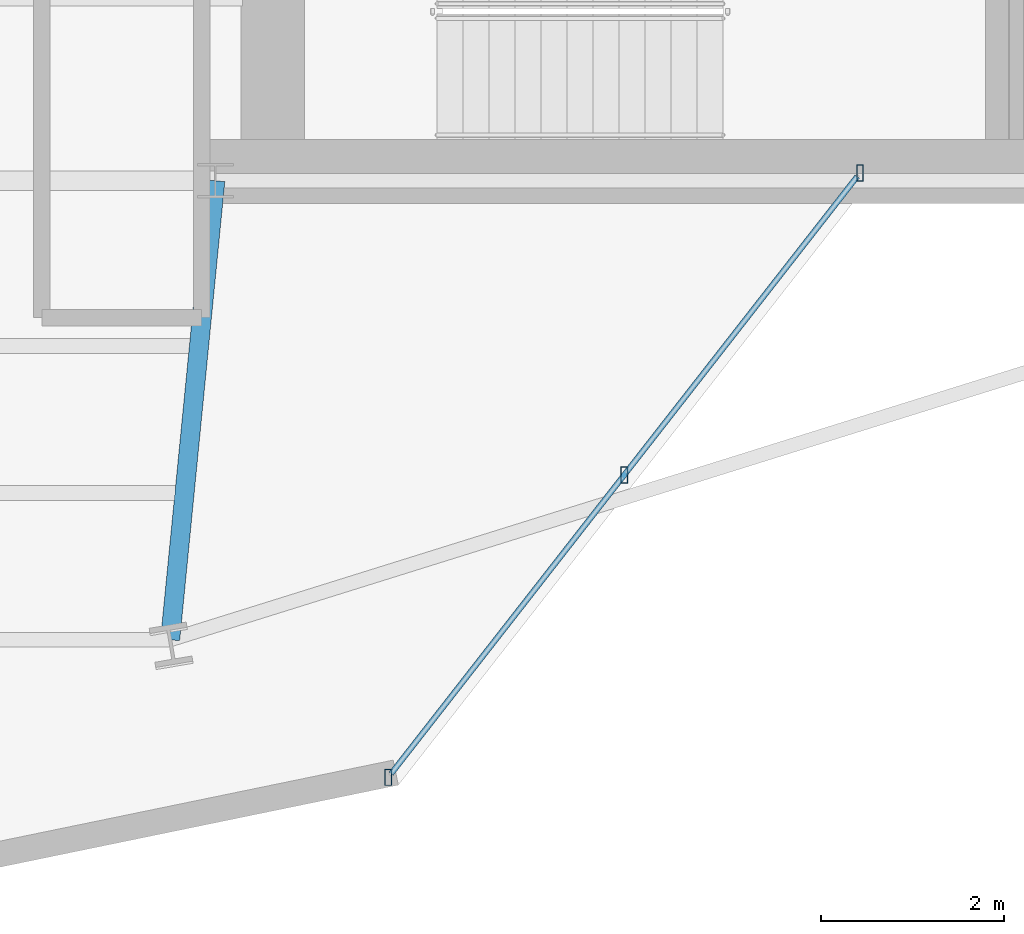
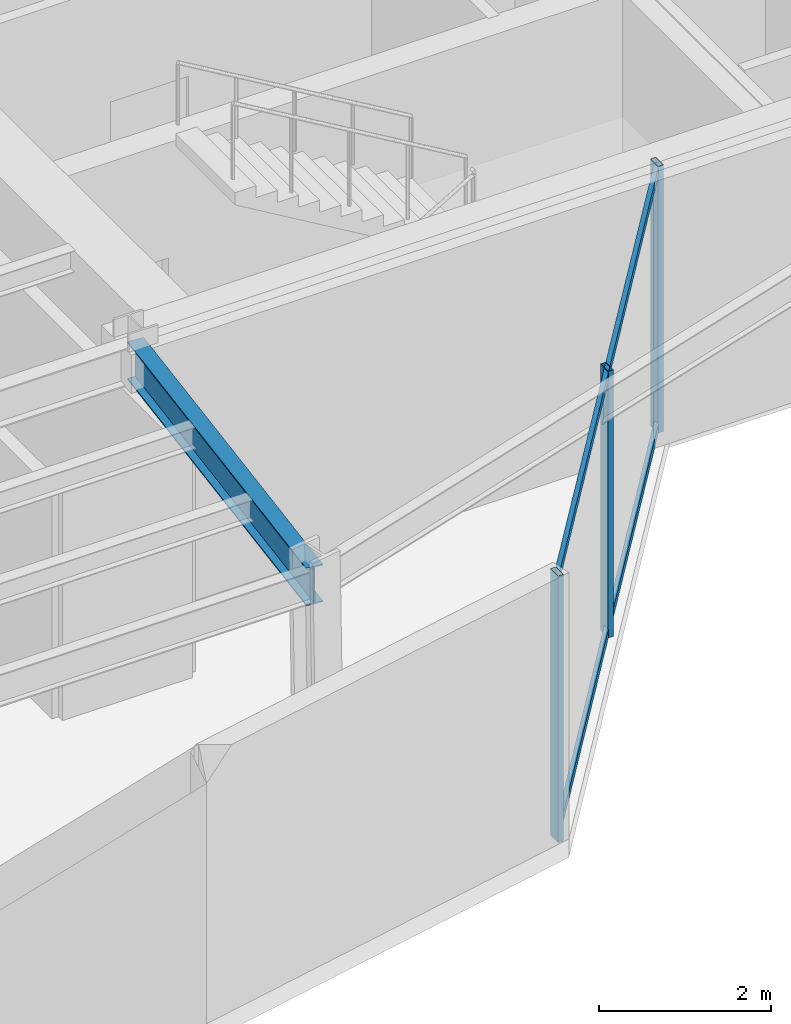
# One storey, part 6 of 20: 5 members, 1 beam, 1 element without a shape of its own.
"""IFC4 building model written with IfcOpenShell, lengths in metres."""

import ifcopenshell
import ifcopenshell.guid

model = None  # the IFC model being written
_history = None  # IfcOwnerHistory: only IFC2X3 demands one
_inside = {}  # id of a spatial element -> (the spatial element, [elements in it])
_under = {}  # id of a project, library or spatial element -> (it, [spatial elements below it])
_declared = {}  # id of a project -> (the project, [libraries it declares])
_typed = {}  # id of a type object -> (the type object, [elements of that type])
_made_of = {}  # id of a material, layer set ... -> (it, [elements and type objects made of it])


def new_model(schema):
    """Start an empty IFC model of exactly this schema.

    Asked for "IFC4X3", IfcOpenShell would pick the latest addendum, in which some entities
    have other attributes; the version numbers below select the first issue.
    IFC2X3 requires an IfcOwnerHistory on every rooted entity: one is made here for all.
    """
    global model, _history
    if schema == "IFC4X3":
        model = ifcopenshell.file(schema_version=(4, 3, 0, 0))
    else:
        model = ifcopenshell.file(schema=schema)
    _inside.clear()
    _under.clear()
    _declared.clear()
    _typed.clear()
    _made_of.clear()
    _history = None
    if model.schema == "IFC2X3":
        org = make("IfcOrganization", Name="unknown")
        user = make(
            "IfcPersonAndOrganization",
            ThePerson=make("IfcPerson", FamilyName="unknown"),
            TheOrganization=org,
        )
        app = make(
            "IfcApplication",
            ApplicationDeveloper=org,
            Version="unknown",
            ApplicationFullName="unknown",
            ApplicationIdentifier="unknown",
        )
        _history = make(
            "IfcOwnerHistory",
            OwningUser=user,
            OwningApplication=app,
            ChangeAction="ADDED",
            CreationDate=0,
        )
    return model


def make(cls, **values):
    """One entity of the class cls with the attributes given. An attribute that is None is left unset."""
    return model.create_entity(
        cls, **{name: value for name, value in values.items() if value is not None}
    )


def rooted(cls, **values):
    """An entity with a GlobalId (a new one), such as an element, a storey or a relation."""
    return make(cls, GlobalId=ifcopenshell.guid.new(), OwnerHistory=_history, **values)


def si_unit(unit_type, name, prefix=None):
    """IfcSIUnit, for example si_unit("LENGTHUNIT", "METRE", prefix="MILLI")."""
    return make("IfcSIUnit", UnitType=unit_type, Prefix=prefix, Name=name)


def assignment(units):
    """IfcUnitAssignment: the units of a project."""
    return None if units is None else make("IfcUnitAssignment", Units=units)


def point(xyz):
    """IfcCartesianPoint."""
    return None if xyz is None else make("IfcCartesianPoint", Coordinates=xyz)


def direction(xyz):
    """IfcDirection."""
    return None if xyz is None else make("IfcDirection", DirectionRatios=xyz)


def frame(location, z_axis=None, x_axis=None):
    """IfcAxis2Placement3D, a coordinate frame: its origin and axes. An axis left out is left unset."""
    return make(
        "IfcAxis2Placement3D",
        Location=point(location),
        Axis=direction(z_axis),
        RefDirection=direction(x_axis),
    )


def frame_2d(location, x_axis=None):
    """IfcAxis2Placement2D, a coordinate frame in the plane: its origin and x axis."""
    return make(
        "IfcAxis2Placement2D", Location=point(location), RefDirection=direction(x_axis)
    )


def origin():
    """The frame at (0, 0, 0) with its axes left unset."""
    return frame((0.0, 0.0, 0.0))


def origin_2d():
    """The frame at (0, 0) in the plane with its x axis left unset."""
    return frame_2d((0.0, 0.0))


def place(relative_to, where):
    """IfcLocalPlacement: puts the frame where relative to a parent placement (None: the world)."""
    return make(
        "IfcLocalPlacement", PlacementRelTo=relative_to, RelativePlacement=where
    )


def context(
    kind, dimensions, precision=None, world=None, true_north=None, identifier=None
):
    """IfcGeometricRepresentationContext, for example the 3D "Model" context."""
    return make(
        "IfcGeometricRepresentationContext",
        ContextIdentifier=identifier,
        ContextType=kind,
        CoordinateSpaceDimension=dimensions,
        Precision=precision,
        WorldCoordinateSystem=world,
        TrueNorth=true_north,
    )


def subcontext(parent, identifier, kind, view, scale=None):
    """IfcGeometricRepresentationSubContext, for example "Body" below "Model"."""
    return make(
        "IfcGeometricRepresentationSubContext",
        ContextIdentifier=identifier,
        ContextType=kind,
        ParentContext=parent,
        TargetScale=scale,
        TargetView=view,
    )


def project(units=None, contexts=None):
    """IfcProject with its units and contexts."""
    return rooted(
        "IfcProject",
        Name="project",
        RepresentationContexts=contexts,
        UnitsInContext=assignment(units),
    )


def spatial(cls, under=None, at=None, **own):
    """A site, building, storey or space (cls), placed at a placement, below another one or the project."""
    s = rooted(cls, ObjectPlacement=at, **own)
    if under is not None:
        _under.setdefault(under.id(), (under, []))[1].append(s)
    return s


def profile(cls, at=None, kind="AREA", **sizes):
    """A parametric profile (cls). Its sizes go by their IFC names, for example OverallWidth=200.0."""
    return make(cls, ProfileType=kind, Position=at, **sizes)


def hollow_rectangle(**sizes):
    """IfcRectangleHollowProfileDef."""
    return profile("IfcRectangleHollowProfileDef", **sizes)


def i_section(**sizes):
    """IfcIShapeProfileDef."""
    return profile("IfcIShapeProfileDef", **sizes)


def extrude(swept, where, along, depth):
    """IfcExtrudedAreaSolid: the profile swept, set in the frame where, extruded along a direction by depth."""
    return make(
        "IfcExtrudedAreaSolid",
        SweptArea=swept,
        Position=where,
        ExtrudedDirection=direction(along),
        Depth=depth,
    )


def shape(context_of_items, identifier, shape_type, items):
    """IfcShapeRepresentation: the items that make up one representation, for example the "Body"."""
    return make(
        "IfcShapeRepresentation",
        ContextOfItems=context_of_items,
        RepresentationIdentifier=identifier,
        RepresentationType=shape_type,
        Items=items,
    )


def material(Name=None, Category=None):
    """IfcMaterial."""
    return make("IfcMaterial", Name=Name, Category=Category)


def layer(
    of_material, thickness, ventilated=None, Name=None, Category=None, Priority=None
):
    """IfcMaterialLayer: one layer of a wall or slab, of a material (None: an air gap)."""
    return make(
        "IfcMaterialLayer",
        Material=of_material,
        LayerThickness=thickness,
        IsVentilated=ventilated,
        Name=Name,
        Category=Category,
        Priority=Priority,
    )


def layer_set(layers, Name=None):
    """IfcMaterialLayerSet."""
    return make("IfcMaterialLayerSet", MaterialLayers=layers, LayerSetName=Name)


def material_profile(
    of_material, cross_section, Name=None, Category=None, Priority=None
):
    """IfcMaterialProfile: a cross section and its material."""
    return make(
        "IfcMaterialProfile",
        Name=Name,
        Material=of_material,
        Profile=cross_section,
        Priority=Priority,
        Category=Category,
    )


def profile_set(profiles, Name=None, composite=None):
    """IfcMaterialProfileSet."""
    return make(
        "IfcMaterialProfileSet",
        Name=Name,
        MaterialProfiles=profiles,
        CompositeProfile=composite,
    )


def made_of(thing, what):
    """Note that an element or type object is made of a material, layer set ...; save() writes the relation."""
    if what is not None:
        _made_of.setdefault(what.id(), (what, []))[1].append(thing)
    return thing


def type_object(cls, material=None, **own):
    """A type object (cls), such as IfcWallType, which elements share."""
    return made_of(rooted(cls, **own), material)


def element(
    cls,
    number,
    at=None,
    inside=None,
    cuts=None,
    type_object=None,
    material=None,
    context=None,
    identifier="Body",
    shape_type=None,
    held_by="IfcProductDefinitionShape",
    body=None,
    shapes=None,
    **own,
):
    """One element of the class cls, such as IfcWall. Its Tag is "e" and its number.

    at: its placement. inside: the storey or other place that contains it. cuts: it is an
    opening in that element (IfcRelVoidsElement). A single representation is given by context,
    identifier, shape_type and body (its items); several are given by shapes. held_by: the class
    of the entity that holds the representations. save() writes the other relations.
    """
    e = rooted(cls, Tag="e%d" % number, ObjectPlacement=at, **own)
    if body is not None:
        shapes = [shape(context, identifier, shape_type, body)]
    if shapes is not None:
        e.Representation = make(held_by, Representations=shapes)
    if inside is not None:
        _inside.setdefault(inside.id(), (inside, []))[1].append(e)
    if cuts is not None:
        rooted(
            "IfcRelVoidsElement", RelatingBuildingElement=cuts, RelatedOpeningElement=e
        )
    if type_object is not None:
        _typed.setdefault(type_object.id(), (type_object, []))[1].append(e)
    return made_of(e, material)


def aggregate(whole, parts):
    """IfcRelAggregates: a whole, such as a stair, and the parts it consists of."""
    return rooted("IfcRelAggregates", RelatingObject=whole, RelatedObjects=parts)


def save(model, path):
    """Write the relations noted so far, then the file.

    IfcRelAggregates (storeys below a building ...), IfcRelContainedInSpatialStructure (elements
    in a storey), IfcRelDefinesByType, IfcRelAssociatesMaterial and IfcRelDeclares: one each for
    every whole, place, type object, material and project.
    """
    for whole, parts in _under.values():
        aggregate(whole, parts)
    for where, things in _inside.values():
        rooted(
            "IfcRelContainedInSpatialStructure",
            RelatedElements=things,
            RelatingStructure=where,
        )
    for kind, things in _typed.values():
        rooted("IfcRelDefinesByType", RelatedObjects=things, RelatingType=kind)
    for what, things in _made_of.values():
        rooted("IfcRelAssociatesMaterial", RelatedObjects=things, RelatingMaterial=what)
    for by, libraries in _declared.values():
        rooted("IfcRelDeclares", RelatingContext=by, RelatedDefinitions=libraries)
    model.write(path)


model = new_model("IFC4")

# Units and contexts
model_context = context("Model", 3, precision=1e-05, world=origin(), true_north=direction((0.0, 1.0)))
body_context = subcontext(model_context, "Body", "Model", "MODEL_VIEW")
ifc_project = project(units=[si_unit("LENGTHUNIT", "METRE"), si_unit("AREAUNIT", "SQUARE_METRE"), si_unit("VOLUMEUNIT", "CUBIC_METRE"), si_unit("PLANEANGLEUNIT", "RADIAN"), si_unit("MASSUNIT", "GRAM", prefix="KILO")], contexts=[model_context])

# Site, building, storey
site_placement = place(None, origin())
site = spatial("IfcSite", under=ifc_project, at=site_placement, CompositionType="ELEMENT")
building_placement = place(site_placement, origin())
building = spatial("IfcBuilding", under=site, at=building_placement, Name="Veymaron Broadcast Tower", CompositionType="ELEMENT")
storey_placement = place(building_placement, frame((0.0, 0.0, 248.550048828125)))
storey = spatial("IfcBuildingStorey", under=building, at=storey_placement, Name="L58", CompositionType="ELEMENT", Elevation=248.550048828125)

# Beam
ifc_material_1 = material(Name="Structural steel ASTM A992 Gr 50", Category="steel")
ifc_material_profile_1 = material_profile(ifc_material_1, i_section(OverallWidth=0.2099609375, OverallDepth=0.537109375, WebThickness=0.010986328125, FlangeThickness=0.017333984375, at=origin_2d()), Name="W530X101")
ifc_profile_set_1 = profile_set([ifc_material_profile_1], Name="Structural steel ASTM A992 Gr 50")
beam_type = type_object("IfcBeamType", Name="BM-FG3", PredefinedType="BEAM", material=ifc_profile_set_1)
beam_placement = place(storey_placement, frame((39.0, 16.0, 3.521484375), z_axis=(-0.097958853778, -0.995190465673, 0.0), x_axis=(0.995190465673, -0.097958853778, 0.0)))
element("IfcBeam", 1, at=beam_placement, inside=storey, type_object=beam_type, Name="L58 primary structural floor girder", PredefinedType="BEAM", context=body_context, shape_type="SweptSolid", body=[
    extrude(i_section(OverallWidth=0.2099609375, OverallDepth=0.537109375, WebThickness=0.010986328125, FlangeThickness=0.017333984375, at=origin_2d()), origin(), (0.0, 0.0, 1.0), 5.054443359375),
])

# Curtain wall, members
ifc_material_2 = material(Name="Anodised aluminium AA 6063-T6 and laminated low-E dark glass", Category="aluminium")
ifc_layer = layer(ifc_material_2, 0.179931640625)
ifc_layer_set = layer_set([ifc_layer], Name="Anodised aluminium AA 6063-T6 and laminated low-E dark glass")
curtain_wall_type = type_object("IfcCurtainWallType", Name="CW-SYS-05", PredefinedType="NOTDEFINED", material=ifc_layer_set)
curtain_wall_placement = place(storey_placement, origin())
curtain_wall = element("IfcCurtainWall", 2, at=curtain_wall_placement, inside=storey, type_object=curtain_wall_type, Name="L58 dark-glass curtain wall CW-L58-E20-1", PredefinedType="NOTDEFINED")
ifc_material_3 = material(Name="Anodised aluminium AA 6063-T6", Category="aluminium")
ifc_material_profile_2 = material_profile(ifc_material_3, hollow_rectangle(XDim=0.074951171875, YDim=0.179931640625, WallThickness=0.0048828125, at=origin_2d()), Name="AL180X75X5")
ifc_profile_set_2 = profile_set([ifc_material_profile_2], Name="Anodised aluminium AA 6063-T6")
member_type_1 = type_object("IfcMemberType", Name="CW-MUL-02", PredefinedType="MULLION", material=ifc_profile_set_2)
member_1_placement = place(storey_placement, frame((40.8955078125, 9.462890625, 0.0), z_axis=(0.0, 0.0, 1.0), x_axis=(1.0, 0.0, 0.0)))
member_1 = element("IfcMember", 3, at=member_1_placement, type_object=member_type_1, Name="CW-L58-E20-1 mullion 0", PredefinedType="MULLION", context=body_context, shape_type="SweptSolid", body=[
    extrude(hollow_rectangle(XDim=0.074951171875, YDim=0.179931640625, WallThickness=0.0048828125, at=origin_2d()), origin(), (0.0, 0.0, 1.0), 3.7900390625),
])
member_2_placement = place(storey_placement, frame((43.48046875, 12.7744140625, 0.0), z_axis=(0.0, 0.0, 1.0), x_axis=(1.0, 0.0, 0.0)))
member_2 = element("IfcMember", 4, at=member_2_placement, type_object=member_type_1, Name="CW-L58-E20-1 mullion 1", PredefinedType="MULLION", context=body_context, shape_type="SweptSolid", body=[
    extrude(hollow_rectangle(XDim=0.074951171875, YDim=0.179931640625, WallThickness=0.0048828125, at=origin_2d()), origin(), (0.0, 0.0, 1.0), 3.7900390625),
])
member_3_placement = place(storey_placement, frame((46.065185546875, 16.086181640625, 0.0), z_axis=(0.0, 0.0, 1.0), x_axis=(1.0, 0.0, 0.0)))
member_3 = element("IfcMember", 5, at=member_3_placement, type_object=member_type_1, Name="CW-L58-E20-1 mullion 2", PredefinedType="MULLION", context=body_context, shape_type="SweptSolid", body=[
    extrude(hollow_rectangle(XDim=0.074951171875, YDim=0.179931640625, WallThickness=0.0048828125, at=origin_2d()), origin(), (0.0, 0.0, 1.0), 3.7900390625),
])
ifc_material_profile_3 = material_profile(ifc_material_3, hollow_rectangle(XDim=0.06005859375, YDim=0.1201171875, WallThickness=0.00390625, at=origin_2d()), Name="AL120X60X4")
ifc_profile_set_3 = profile_set([ifc_material_profile_3], Name="Anodised aluminium AA 6063-T6")
member_type_2 = type_object("IfcMemberType", Name="CW-TRN-02", PredefinedType="USERDEFINED", material=ifc_profile_set_3)
member_4_placement = place(storey_placement, frame((40.926513671875, 9.502197265625, 0.070068359375), z_axis=(0.615275312806, 0.788312304516, 0.0), x_axis=(-0.788312304516, 0.615275312806, 0.0)))
member_4 = element("IfcMember", 6, at=member_4_placement, type_object=member_type_2, Name="CW-L58-E20-1 transom B", ObjectType="TRANSOM", PredefinedType="USERDEFINED", context=body_context, shape_type="SweptSolid", body=[
    extrude(hollow_rectangle(XDim=0.06005859375, YDim=0.1201171875, WallThickness=0.00390625, at=origin_2d()), origin(), (0.0, 0.0, 1.0), 8.3017578125),
])
member_5_placement = place(storey_placement, frame((40.926513671875, 9.502197265625, 3.719970703125), z_axis=(0.615275312806, 0.788312304516, 0.0), x_axis=(-0.788312304516, 0.615275312806, 0.0)))
member_5 = element("IfcMember", 7, at=member_5_placement, type_object=member_type_2, Name="CW-L58-E20-1 transom T", ObjectType="TRANSOM", PredefinedType="USERDEFINED", context=body_context, shape_type="SweptSolid", body=[
    extrude(hollow_rectangle(XDim=0.06005859375, YDim=0.1201171875, WallThickness=0.00390625, at=origin_2d()), origin(), (0.0, 0.0, 1.0), 8.3017578125),
])
aggregate(curtain_wall, [member_1, member_2, member_3, member_4, member_5])

save(model, "model.ifc")
